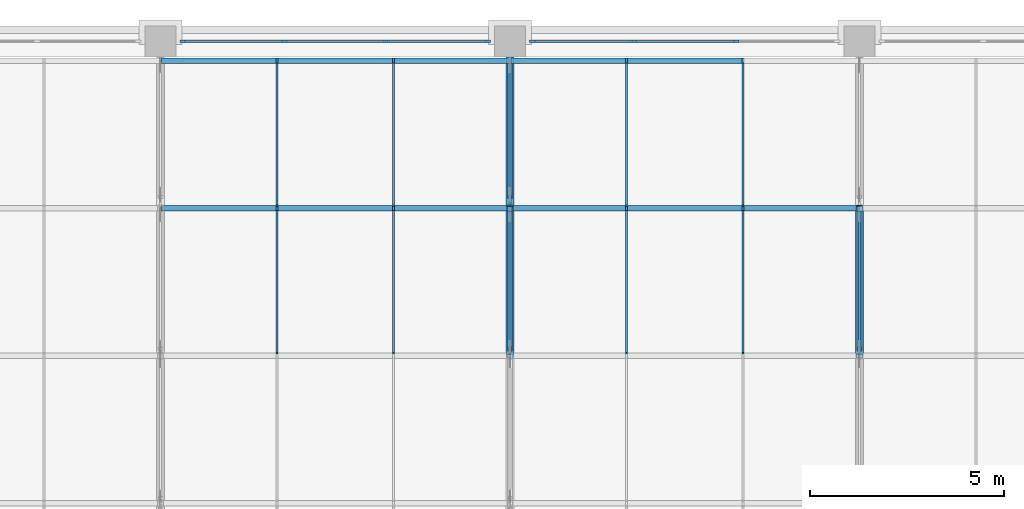
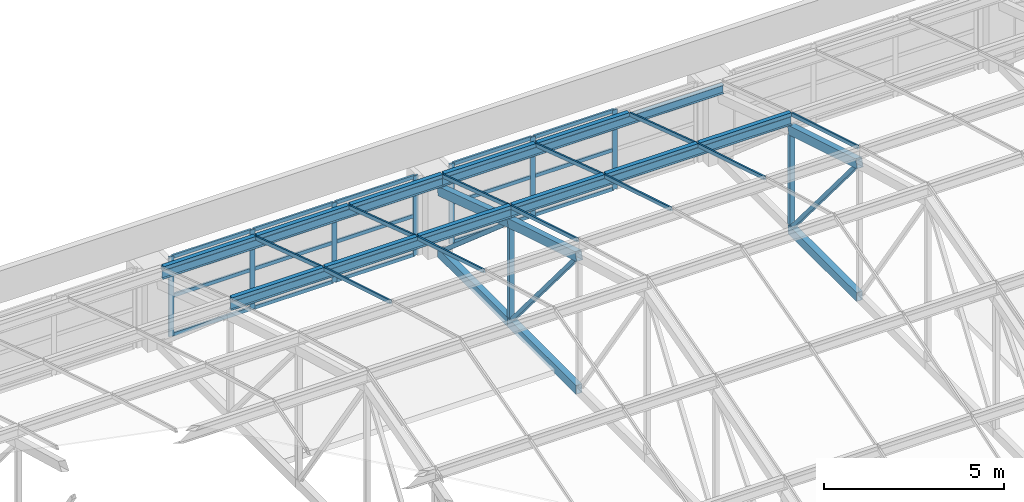
# One storey, part 37 of 82: 59 members, 3 elements without a shape of their own.
"""IFC4 building model written with IfcOpenShell, lengths in metres."""

from ifc_helpers import new_model, si_unit, direction, frame, origin, origin_2d, place, context, subcontext, project, spatial, rectangle, hollow_rectangle, i_section, extrude, material, material_profile, profile_set, type_object, element, aggregate, save


model = new_model("IFC4")

# Units and contexts
model_context = context("Model", 3, precision=1e-05, world=origin(), true_north=direction((0.0, 1.0)))
body_context = subcontext(model_context, "Body", "Model", "MODEL_VIEW")
ifc_project = project(units=[si_unit("LENGTHUNIT", "METRE"), si_unit("AREAUNIT", "SQUARE_METRE"), si_unit("VOLUMEUNIT", "CUBIC_METRE"), si_unit("PLANEANGLEUNIT", "RADIAN"), si_unit("MASSUNIT", "GRAM", prefix="KILO")], contexts=[model_context])

# Site, building, storey
site_placement = place(None, origin())
site = spatial("IfcSite", under=ifc_project, at=site_placement, CompositionType="ELEMENT")
building_placement = place(site_placement, origin())
building = spatial("IfcBuilding", under=site, at=building_placement, Name="Aravalli Gate Trade Fair Centre", CompositionType="ELEMENT")
storey_placement = place(building_placement, frame((0.0, 0.0, 19.199951171875)))
storey = spatial("IfcBuildingStorey", under=building, at=storey_placement, Name="L04", CompositionType="ELEMENT", Elevation=19.199951171875)

# Curtain wall, members
ifc_material_1 = material(Name="Aluminium and glass", Category="aluminium")
curtain_wall_type_1 = type_object("IfcCurtainWallType", Name="Curtain wall 3000 module", PredefinedType="NOTDEFINED", material=ifc_material_1)
curtain_wall_1_placement = place(storey_placement, origin())
curtain_wall_1 = element("IfcCurtainWall", 1, at=curtain_wall_1_placement, inside=storey, type_object=curtain_wall_type_1, Name="Curtain wall north bay 15 L04", PredefinedType="NOTDEFINED")
ifc_material_2 = material(Name="Aluminium", Category="aluminium")
ifc_material_profile_1 = material_profile(ifc_material_2, rectangle(XDim=0.06005859375, YDim=0.159912109375, at=origin_2d()), Name="Concourse curtain wall mullion 60 x 160")
ifc_profile_set_1 = profile_set([ifc_material_profile_1], Name="Aluminium")
member_type_1 = type_object("IfcMemberType", Name="Concourse curtain wall mullion 60 x 160", PredefinedType="MULLION", material=ifc_profile_set_1)
member_1_placement = place(storey_placement, frame((123.580078125, 133.0, 0.0), z_axis=(0.0, 0.0, 1.0), x_axis=(0.0, 1.0, 0.0)))
member_1 = element("IfcMember", 2, at=member_1_placement, type_object=member_type_1, Name="CW1 mullion 1", PredefinedType="MULLION", context=body_context, shape_type="SweptSolid", body=[
    extrude(rectangle(XDim=0.06005859375, YDim=0.159912109375, at=origin_2d()), origin(), (0.0, 0.0, 1.0), 2.699951171875),
])
member_2_placement = place(storey_placement, frame((126.183349609375, 133.0, 0.0), z_axis=(0.0, 0.0, 1.0), x_axis=(0.0, 1.0, 0.0)))
member_2 = element("IfcMember", 3, at=member_2_placement, type_object=member_type_1, Name="CW1 mullion 2", PredefinedType="MULLION", context=body_context, shape_type="SweptSolid", body=[
    extrude(rectangle(XDim=0.06005859375, YDim=0.159912109375, at=origin_2d()), origin(), (0.0, 0.0, 1.0), 2.699951171875),
])
member_3_placement = place(storey_placement, frame((128.816650390625, 133.0, 0.0), z_axis=(0.0, 0.0, 1.0), x_axis=(0.0, 1.0, 0.0)))
member_3 = element("IfcMember", 4, at=member_3_placement, type_object=member_type_1, Name="CW1 mullion 3", PredefinedType="MULLION", context=body_context, shape_type="SweptSolid", body=[
    extrude(rectangle(XDim=0.06005859375, YDim=0.159912109375, at=origin_2d()), origin(), (0.0, 0.0, 1.0), 2.699951171875),
])
member_4_placement = place(storey_placement, frame((131.419921875, 133.0, 0.0), z_axis=(0.0, 0.0, 1.0), x_axis=(0.0, 1.0, 0.0)))
member_4 = element("IfcMember", 5, at=member_4_placement, type_object=member_type_1, Name="CW1 mullion 4", PredefinedType="MULLION", context=body_context, shape_type="SweptSolid", body=[
    extrude(rectangle(XDim=0.06005859375, YDim=0.159912109375, at=origin_2d()), origin(), (0.0, 0.0, 1.0), 2.699951171875),
])

curtain_wall_2_placement = place(storey_placement, origin())
curtain_wall_2 = element("IfcCurtainWall", 6, at=curtain_wall_2_placement, inside=storey, type_object=curtain_wall_type_1, Name="Curtain wall north bay 16 L04", PredefinedType="NOTDEFINED")
member_5_placement = place(storey_placement, frame((132.580078125, 133.0, 0.0), z_axis=(0.0, 0.0, 1.0), x_axis=(0.0, 1.0, 0.0)))
member_5 = element("IfcMember", 7, at=member_5_placement, type_object=member_type_1, Name="CW1 mullion 1", PredefinedType="MULLION", context=body_context, shape_type="SweptSolid", body=[
    extrude(rectangle(XDim=0.06005859375, YDim=0.159912109375, at=origin_2d()), origin(), (0.0, 0.0, 1.0), 2.699951171875),
])
member_6_placement = place(storey_placement, frame((135.183349609375, 133.0, 0.0), z_axis=(0.0, 0.0, 1.0), x_axis=(0.0, 1.0, 0.0)))
member_6 = element("IfcMember", 8, at=member_6_placement, type_object=member_type_1, Name="CW1 mullion 2", PredefinedType="MULLION", context=body_context, shape_type="SweptSolid", body=[
    extrude(rectangle(XDim=0.06005859375, YDim=0.159912109375, at=origin_2d()), origin(), (0.0, 0.0, 1.0), 2.699951171875),
])
member_7_placement = place(storey_placement, frame((137.816650390625, 133.0, 0.0), z_axis=(0.0, 0.0, 1.0), x_axis=(0.0, 1.0, 0.0)))
member_7 = element("IfcMember", 9, at=member_7_placement, type_object=member_type_1, Name="CW1 mullion 3", PredefinedType="MULLION", context=body_context, shape_type="SweptSolid", body=[
    extrude(rectangle(XDim=0.06005859375, YDim=0.159912109375, at=origin_2d()), origin(), (0.0, 0.0, 1.0), 2.699951171875),
])

# Member
ifc_material_profile_2 = material_profile(ifc_material_2, rectangle(XDim=0.06005859375, YDim=0.1201171875, at=origin_2d()), Name="Concourse curtain wall transom 60 x 120")
ifc_profile_set_2 = profile_set([ifc_material_profile_2], Name="Aluminium")
member_type_2 = type_object("IfcMemberType", Name="Concourse curtain wall transom 60 x 120", PredefinedType="USERDEFINED", material=ifc_profile_set_2)
member_8_placement = place(storey_placement, frame((123.610107421875, 133.0, 0.030029296875), z_axis=(1.0, 0.0, 0.0), x_axis=(0.0, 1.0, 0.0)))
member_8 = element("IfcMember", 10, at=member_8_placement, type_object=member_type_2, Name="CW1 transom 1.1", ObjectType="TRANSOM", PredefinedType="USERDEFINED", context=body_context, shape_type="SweptSolid", body=[
    extrude(rectangle(XDim=0.06005859375, YDim=0.1201171875, at=origin_2d()), origin(), (0.0, 0.0, 1.0), 2.543212890625),
])

member_9_placement = place(storey_placement, frame((123.610107421875, 133.0, 1.35009765625), z_axis=(1.0, 0.0, 0.0), x_axis=(0.0, 1.0, 0.0)))
member_9 = element("IfcMember", 11, at=member_9_placement, type_object=member_type_2, Name="CW1 transom 1.2", ObjectType="TRANSOM", PredefinedType="USERDEFINED", context=body_context, shape_type="SweptSolid", body=[
    extrude(rectangle(XDim=0.06005859375, YDim=0.1201171875, at=origin_2d()), origin(), (0.0, 0.0, 1.0), 2.543212890625),
])

member_10_placement = place(storey_placement, frame((123.610107421875, 133.0, 2.670166015625), z_axis=(1.0, 0.0, 0.0), x_axis=(0.0, 1.0, 0.0)))
member_10 = element("IfcMember", 12, at=member_10_placement, type_object=member_type_2, Name="CW1 transom 1.3", ObjectType="TRANSOM", PredefinedType="USERDEFINED", context=body_context, shape_type="SweptSolid", body=[
    extrude(rectangle(XDim=0.06005859375, YDim=0.1201171875, at=origin_2d()), origin(), (0.0, 0.0, 1.0), 2.543212890625),
])

member_11_placement = place(storey_placement, frame((126.21337890625, 133.0, 0.030029296875), z_axis=(1.0, 0.0, 0.0), x_axis=(0.0, 1.0, 0.0)))
member_11 = element("IfcMember", 13, at=member_11_placement, type_object=member_type_2, Name="CW1 transom 2.1", ObjectType="TRANSOM", PredefinedType="USERDEFINED", context=body_context, shape_type="SweptSolid", body=[
    extrude(rectangle(XDim=0.06005859375, YDim=0.1201171875, at=origin_2d()), origin(), (0.0, 0.0, 1.0), 2.5732421875),
])

member_12_placement = place(storey_placement, frame((126.21337890625, 133.0, 1.35009765625), z_axis=(1.0, 0.0, 0.0), x_axis=(0.0, 1.0, 0.0)))
member_12 = element("IfcMember", 14, at=member_12_placement, type_object=member_type_2, Name="CW1 transom 2.2", ObjectType="TRANSOM", PredefinedType="USERDEFINED", context=body_context, shape_type="SweptSolid", body=[
    extrude(rectangle(XDim=0.06005859375, YDim=0.1201171875, at=origin_2d()), origin(), (0.0, 0.0, 1.0), 2.5732421875),
])

member_13_placement = place(storey_placement, frame((126.21337890625, 133.0, 2.670166015625), z_axis=(1.0, 0.0, 0.0), x_axis=(0.0, 1.0, 0.0)))
member_13 = element("IfcMember", 15, at=member_13_placement, type_object=member_type_2, Name="CW1 transom 2.3", ObjectType="TRANSOM", PredefinedType="USERDEFINED", context=body_context, shape_type="SweptSolid", body=[
    extrude(rectangle(XDim=0.06005859375, YDim=0.1201171875, at=origin_2d()), origin(), (0.0, 0.0, 1.0), 2.5732421875),
])

member_14_placement = place(storey_placement, frame((128.8466796875, 133.0, 0.030029296875), z_axis=(1.0, 0.0, 0.0), x_axis=(0.0, 1.0, 0.0)))
member_14 = element("IfcMember", 16, at=member_14_placement, type_object=member_type_2, Name="CW1 transom 3.1", ObjectType="TRANSOM", PredefinedType="USERDEFINED", context=body_context, shape_type="SweptSolid", body=[
    extrude(rectangle(XDim=0.06005859375, YDim=0.1201171875, at=origin_2d()), origin(), (0.0, 0.0, 1.0), 2.543212890625),
])

member_15_placement = place(storey_placement, frame((128.8466796875, 133.0, 1.35009765625), z_axis=(1.0, 0.0, 0.0), x_axis=(0.0, 1.0, 0.0)))
member_15 = element("IfcMember", 17, at=member_15_placement, type_object=member_type_2, Name="CW1 transom 3.2", ObjectType="TRANSOM", PredefinedType="USERDEFINED", context=body_context, shape_type="SweptSolid", body=[
    extrude(rectangle(XDim=0.06005859375, YDim=0.1201171875, at=origin_2d()), origin(), (0.0, 0.0, 1.0), 2.543212890625),
])

member_16_placement = place(storey_placement, frame((128.8466796875, 133.0, 2.670166015625), z_axis=(1.0, 0.0, 0.0), x_axis=(0.0, 1.0, 0.0)))
member_16 = element("IfcMember", 18, at=member_16_placement, type_object=member_type_2, Name="CW1 transom 3.3", ObjectType="TRANSOM", PredefinedType="USERDEFINED", context=body_context, shape_type="SweptSolid", body=[
    extrude(rectangle(XDim=0.06005859375, YDim=0.1201171875, at=origin_2d()), origin(), (0.0, 0.0, 1.0), 2.543212890625),
])

aggregate(curtain_wall_1, [member_1, member_2, member_3, member_4, member_8, member_9, member_10, member_11, member_12, member_13, member_14, member_15, member_16])

member_17_placement = place(storey_placement, frame((132.610107421875, 133.0, 0.030029296875), z_axis=(1.0, 0.0, 0.0), x_axis=(0.0, 1.0, 0.0)))
member_17 = element("IfcMember", 19, at=member_17_placement, type_object=member_type_2, Name="CW1 transom 1.1", ObjectType="TRANSOM", PredefinedType="USERDEFINED", context=body_context, shape_type="SweptSolid", body=[
    extrude(rectangle(XDim=0.06005859375, YDim=0.1201171875, at=origin_2d()), origin(), (0.0, 0.0, 1.0), 2.543212890625),
])

member_18_placement = place(storey_placement, frame((132.610107421875, 133.0, 1.35009765625), z_axis=(1.0, 0.0, 0.0), x_axis=(0.0, 1.0, 0.0)))
member_18 = element("IfcMember", 20, at=member_18_placement, type_object=member_type_2, Name="CW1 transom 1.2", ObjectType="TRANSOM", PredefinedType="USERDEFINED", context=body_context, shape_type="SweptSolid", body=[
    extrude(rectangle(XDim=0.06005859375, YDim=0.1201171875, at=origin_2d()), origin(), (0.0, 0.0, 1.0), 2.543212890625),
])

member_19_placement = place(storey_placement, frame((132.610107421875, 133.0, 2.670166015625), z_axis=(1.0, 0.0, 0.0), x_axis=(0.0, 1.0, 0.0)))
member_19 = element("IfcMember", 21, at=member_19_placement, type_object=member_type_2, Name="CW1 transom 1.3", ObjectType="TRANSOM", PredefinedType="USERDEFINED", context=body_context, shape_type="SweptSolid", body=[
    extrude(rectangle(XDim=0.06005859375, YDim=0.1201171875, at=origin_2d()), origin(), (0.0, 0.0, 1.0), 2.543212890625),
])

member_20_placement = place(storey_placement, frame((135.21337890625, 133.0, 0.030029296875), z_axis=(1.0, 0.0, 0.0), x_axis=(0.0, 1.0, 0.0)))
member_20 = element("IfcMember", 22, at=member_20_placement, type_object=member_type_2, Name="CW1 transom 2.1", ObjectType="TRANSOM", PredefinedType="USERDEFINED", context=body_context, shape_type="SweptSolid", body=[
    extrude(rectangle(XDim=0.06005859375, YDim=0.1201171875, at=origin_2d()), origin(), (0.0, 0.0, 1.0), 2.5732421875),
])

member_21_placement = place(storey_placement, frame((135.21337890625, 133.0, 1.35009765625), z_axis=(1.0, 0.0, 0.0), x_axis=(0.0, 1.0, 0.0)))
member_21 = element("IfcMember", 23, at=member_21_placement, type_object=member_type_2, Name="CW1 transom 2.2", ObjectType="TRANSOM", PredefinedType="USERDEFINED", context=body_context, shape_type="SweptSolid", body=[
    extrude(rectangle(XDim=0.06005859375, YDim=0.1201171875, at=origin_2d()), origin(), (0.0, 0.0, 1.0), 2.5732421875),
])

member_22_placement = place(storey_placement, frame((135.21337890625, 133.0, 2.670166015625), z_axis=(1.0, 0.0, 0.0), x_axis=(0.0, 1.0, 0.0)))
member_22 = element("IfcMember", 24, at=member_22_placement, type_object=member_type_2, Name="CW1 transom 2.3", ObjectType="TRANSOM", PredefinedType="USERDEFINED", context=body_context, shape_type="SweptSolid", body=[
    extrude(rectangle(XDim=0.06005859375, YDim=0.1201171875, at=origin_2d()), origin(), (0.0, 0.0, 1.0), 2.5732421875),
])

aggregate(curtain_wall_2, [member_5, member_6, member_7, member_17, member_18, member_19, member_20, member_21, member_22])

# Members
ifc_material_3 = material(Name="Steel E350", Category="steel")
ifc_material_profile_3 = material_profile(ifc_material_3, i_section(OverallWidth=0.139892578125, OverallDepth=0.300048828125, WebThickness=0.0078125, FlangeThickness=0.01318359375, at=origin_2d()), Name="ISMB 300")
ifc_profile_set_3 = profile_set([ifc_material_profile_3], Name="Steel E350")
member_type_3 = type_object("IfcMemberType", Name="ISMB 300 roof purlin", PredefinedType="PURLIN", material=ifc_profile_set_3)
for number, where, z_axis, x_axis, name in (
    (25, (123.0, 128.699951171875, 3.851318359375), (1.0, 0.0, 0.0), (0.0, 1.0, 0.0), "Vault purlin 14-15 F5"),
    (26, (123.0, 132.5, 2.60302734375), (1.0, 0.0, 0.0), (0.0, 1.0, 0.0), "Vault purlin 14-15 F6"),
    (27, (132.0, 128.699951171875, 3.851318359375), (1.0, 0.0, 0.0), (0.0, 1.0, 0.0), "Vault purlin 15-16 F5"),
    (28, (132.0, 132.5, 2.60302734375), (1.0, 0.0, 0.0), (0.0, 1.0, 0.0), "Vault purlin 15-16 F6"),
):
    element("IfcMember", number, at=place(storey_placement, frame(where, z_axis=z_axis, x_axis=x_axis)), inside=storey, type_object=member_type_3, Name=name, PredefinedType="PURLIN", context=body_context, shape_type="SweptSolid", body=[
        extrude(i_section(OverallWidth=0.139892578125, OverallDepth=0.300048828125, WebThickness=0.0078125, FlangeThickness=0.01318359375, at=origin_2d()), origin(), (0.0, 0.0, 1.0), 9.0),
    ])
ifc_material_profile_4 = material_profile(ifc_material_3, hollow_rectangle(XDim=0.199951171875, YDim=0.300048828125, WallThickness=0.011962890625, at=origin_2d()), Name="RHS 300x200x12")
ifc_profile_set_4 = profile_set([ifc_material_profile_4], Name="Steel E350")
member_type_4 = type_object("IfcMemberType", Name="RHS 300x200x12 CT1 truss chord", PredefinedType="CHORD", material=ifc_profile_set_4)
member_23_placement = place(storey_placement, frame((132.0, 124.89990234375, 4.67333984375), z_axis=(0.0, 0.957138110877, -0.289631898634), x_axis=(-1.0, 0.0, 0.0)))
element("IfcMember", 29, at=member_23_placement, inside=storey, type_object=member_type_4, Name="Concourse vault truss CT1 line 15 top chord T5", PredefinedType="CHORD", context=body_context, shape_type="SweptSolid", body=[
    extrude(hollow_rectangle(XDim=0.199951171875, YDim=0.300048828125, WallThickness=0.011962890625, at=origin_2d()), origin(), (0.0, 0.0, 1.0), 3.97021484375),
])
member_24_placement = place(storey_placement, frame((132.0, 124.89990234375, 0.150146484375), z_axis=(0.0, 1.0, 0.0), x_axis=(-1.0, 0.0, 0.0)))
element("IfcMember", 30, at=member_24_placement, inside=storey, type_object=member_type_4, Name="Concourse vault truss CT1 line 15 bottom chord B5", PredefinedType="CHORD", context=body_context, shape_type="SweptSolid", body=[
    extrude(hollow_rectangle(XDim=0.199951171875, YDim=0.300048828125, WallThickness=0.011962890625, at=origin_2d()), origin(), (0.0, 0.0, 1.0), 3.800048828125),
])
member_25_placement = place(storey_placement, frame((132.0, 128.699951171875, 3.522216796875), z_axis=(0.0, 0.949924628731, -0.312479118872), x_axis=(-1.0, 0.0, 0.0)))
element("IfcMember", 31, at=member_25_placement, inside=storey, type_object=member_type_4, Name="Concourse vault truss CT1 line 15 top chord T6", PredefinedType="CHORD", context=body_context, shape_type="SweptSolid", body=[
    extrude(hollow_rectangle(XDim=0.199951171875, YDim=0.300048828125, WallThickness=0.011962890625, at=origin_2d()), origin(), (0.0, 0.0, 1.0), 4.105712890625),
])
member_26_placement = place(storey_placement, frame((132.0, 128.699951171875, 0.150146484375), z_axis=(0.0, 1.0, 0.0), x_axis=(-1.0, 0.0, 0.0)))
element("IfcMember", 32, at=member_26_placement, inside=storey, type_object=member_type_4, Name="Concourse vault truss CT1 line 15 bottom chord B6", PredefinedType="CHORD", context=body_context, shape_type="SweptSolid", body=[
    extrude(hollow_rectangle(XDim=0.199951171875, YDim=0.300048828125, WallThickness=0.011962890625, at=origin_2d()), origin(), (0.0, 0.0, 1.0), 3.900146484375),
])
member_27_placement = place(storey_placement, frame((141.0, 124.89990234375, 4.67333984375), z_axis=(0.0, 0.957138110877, -0.289631898634), x_axis=(-1.0, 0.0, 0.0)))
element("IfcMember", 33, at=member_27_placement, inside=storey, type_object=member_type_4, Name="Concourse vault truss CT1 line 16 top chord T5", PredefinedType="CHORD", context=body_context, shape_type="SweptSolid", body=[
    extrude(hollow_rectangle(XDim=0.199951171875, YDim=0.300048828125, WallThickness=0.011962890625, at=origin_2d()), origin(), (0.0, 0.0, 1.0), 3.97021484375),
])
member_28_placement = place(storey_placement, frame((141.0, 124.89990234375, 0.150146484375), z_axis=(0.0, 1.0, 0.0), x_axis=(-1.0, 0.0, 0.0)))
element("IfcMember", 34, at=member_28_placement, inside=storey, type_object=member_type_4, Name="Concourse vault truss CT1 line 16 bottom chord B5", PredefinedType="CHORD", context=body_context, shape_type="SweptSolid", body=[
    extrude(hollow_rectangle(XDim=0.199951171875, YDim=0.300048828125, WallThickness=0.011962890625, at=origin_2d()), origin(), (0.0, 0.0, 1.0), 3.800048828125),
])
ifc_material_profile_5 = material_profile(ifc_material_3, hollow_rectangle(XDim=0.125, YDim=0.125, WallThickness=0.006103515625, at=origin_2d()), Name="SHS 125x125x6")
ifc_profile_set_5 = profile_set([ifc_material_profile_5], Name="Steel E350")
member_type_5 = type_object("IfcMemberType", Name="SHS 125x125x6 CT1 truss diagonal", PredefinedType="BRACE", material=ifc_profile_set_5)
member_29_placement = place(storey_placement, frame((132.0, 125.076416015625, 4.463134765625), z_axis=(0.0, 0.643253159982, -0.765653558845), x_axis=(-1.0, 0.0, 0.0)))
element("IfcMember", 35, at=member_29_placement, inside=storey, type_object=member_type_5, Name="Concourse vault truss CT1 line 15 diagonal D5", PredefinedType="BRACE", context=body_context, shape_type="SweptSolid", body=[
    extrude(hollow_rectangle(XDim=0.125, YDim=0.125, WallThickness=0.006103515625, at=origin_2d()), origin(), (0.0, 0.0, 1.0), 5.437255859375),
])
member_30_placement = place(storey_placement, frame((132.0, 128.994873046875, 3.267333984375), z_axis=(0.0, 0.756430814482, -0.654073713661), x_axis=(-1.0, 0.0, 0.0)))
element("IfcMember", 36, at=member_30_placement, inside=storey, type_object=member_type_5, Name="Concourse vault truss CT1 line 15 diagonal D6", PredefinedType="BRACE", context=body_context, shape_type="SweptSolid", body=[
    extrude(hollow_rectangle(XDim=0.125, YDim=0.125, WallThickness=0.006103515625, at=origin_2d()), origin(), (0.0, 0.0, 1.0), 4.53662109375),
])
member_31_placement = place(storey_placement, frame((141.0, 125.076416015625, 4.463134765625), z_axis=(0.0, 0.643253159982, -0.765653558845), x_axis=(-1.0, 0.0, 0.0)))
element("IfcMember", 37, at=member_31_placement, inside=storey, type_object=member_type_5, Name="Concourse vault truss CT1 line 16 diagonal D5", PredefinedType="BRACE", context=body_context, shape_type="SweptSolid", body=[
    extrude(hollow_rectangle(XDim=0.125, YDim=0.125, WallThickness=0.006103515625, at=origin_2d()), origin(), (0.0, 0.0, 1.0), 5.437255859375),
])
ifc_material_profile_6 = material_profile(ifc_material_3, hollow_rectangle(XDim=0.14990234375, YDim=0.14990234375, WallThickness=0.006103515625, at=origin_2d()), Name="SHS 150x150x6")
ifc_profile_set_6 = profile_set([ifc_material_profile_6], Name="Steel E350")
member_type_6 = type_object("IfcMemberType", Name="SHS 150x150x6 CT1 truss post", PredefinedType="POST", material=ifc_profile_set_6)
for number, where, z_axis, x_axis, name in (
    (38, (132.0, 128.699951171875, 0.300048828125), (0.0, 0.0, 1.0), (1.0, 0.0, 0.0), "Concourse vault truss CT1 line 15 post V5"),
    (39, (141.0, 128.699951171875, 0.300048828125), (0.0, 0.0, 1.0), (1.0, 0.0, 0.0), "Concourse vault truss CT1 line 16 post V5"),
):
    element("IfcMember", number, at=place(storey_placement, frame(where, z_axis=z_axis, x_axis=x_axis)), inside=storey, type_object=member_type_6, Name=name, PredefinedType="POST", context=body_context, shape_type="SweptSolid", body=[
        extrude(hollow_rectangle(XDim=0.14990234375, YDim=0.14990234375, WallThickness=0.006103515625, at=origin_2d()), origin(), (0.0, 0.0, 1.0), 3.064208984375),
    ])
ifc_material_profile_7 = material_profile(ifc_material_2, rectangle(XDim=0.139892578125, YDim=0.1201171875, at=origin_2d()), Name="Vault fold cap 140 x 120")
ifc_profile_set_7 = profile_set([ifc_material_profile_7], Name="Aluminium")
member_type_7 = type_object("IfcMemberType", Name="Vault fold cap 140 x 120", PredefinedType="USERDEFINED", material=ifc_profile_set_7)
for number, where, z_axis, x_axis, name in (
    (40, (123.030029296875, 128.699951171875, 4.061279296875), (1.0, 0.0, 0.0), (0.0, 1.0, 0.0), "Vault fold cap e8.5"),
    (41, (123.030029296875, 132.5, 2.81298828125), (1.0, 0.0, 0.0), (0.0, 1.0, 0.0), "Vault fold cap e8.6"),
    (42, (126.030029296875, 128.699951171875, 4.061279296875), (1.0, 0.0, 0.0), (0.0, 1.0, 0.0), "Vault fold cap e9.5"),
    (43, (126.030029296875, 132.5, 2.81298828125), (1.0, 0.0, 0.0), (0.0, 1.0, 0.0), "Vault fold cap e9.6"),
    (44, (129.030029296875, 128.699951171875, 4.061279296875), (1.0, 0.0, 0.0), (0.0, 1.0, 0.0), "Vault fold cap e10.5"),
    (45, (129.030029296875, 132.5, 2.81298828125), (1.0, 0.0, 0.0), (0.0, 1.0, 0.0), "Vault fold cap e10.6"),
    (46, (132.030029296875, 128.699951171875, 4.061279296875), (1.0, 0.0, 0.0), (0.0, 1.0, 0.0), "Vault fold cap e11.5"),
    (47, (132.030029296875, 132.5, 2.81298828125), (1.0, 0.0, 0.0), (0.0, 1.0, 0.0), "Vault fold cap e11.6"),
    (48, (135.030029296875, 128.699951171875, 4.061279296875), (1.0, 0.0, 0.0), (0.0, 1.0, 0.0), "Vault fold cap e12.5"),
    (49, (135.030029296875, 132.5, 2.81298828125), (1.0, 0.0, 0.0), (0.0, 1.0, 0.0), "Vault fold cap e12.6"),
    (50, (138.030029296875, 128.699951171875, 4.061279296875), (1.0, 0.0, 0.0), (0.0, 1.0, 0.0), "Vault fold cap e13.5"),
):
    element("IfcMember", number, at=place(storey_placement, frame(where, z_axis=z_axis, x_axis=x_axis)), inside=storey, type_object=member_type_7, Name=name, ObjectType="FOLD CAP", PredefinedType="USERDEFINED", context=body_context, shape_type="SweptSolid", body=[
        extrude(rectangle(XDim=0.139892578125, YDim=0.1201171875, at=origin_2d()), origin(), (0.0, 0.0, 1.0), 2.93994140625),
    ])

# Curtain wall, members
curtain_wall_type_2 = type_object("IfcCurtainWallType", Name="Vault curtain wall, sloped glazing", PredefinedType="NOTDEFINED", material=ifc_material_1)
curtain_wall_3_placement = place(storey_placement, origin())
curtain_wall_3 = element("IfcCurtainWall", 51, at=curtain_wall_3_placement, inside=storey, type_object=curtain_wall_type_2, Name="Vault curtain wall e", PredefinedType="NOTDEFINED")
ifc_material_profile_8 = material_profile(ifc_material_2, rectangle(XDim=0.06005859375, YDim=0.1201171875, at=origin_2d()), Name="Vault glazing bar 60 x 120")
ifc_profile_set_8 = profile_set([ifc_material_profile_8], Name="Aluminium")
member_type_8 = type_object("IfcMemberType", Name="Vault glazing bar 60 x 120", PredefinedType="USERDEFINED", material=ifc_profile_set_8)
member_32_placement = place(storey_placement, frame((126.0, 124.969970703125, 5.166259765625), z_axis=(0.0, 0.957125834694, -0.289672464279), x_axis=(-1.0, 0.0, 0.0)))
member_32 = element("IfcMember", 52, at=member_32_placement, type_object=member_type_8, Name="Vault glazing bar e9.5", ObjectType="GLAZING BAR", PredefinedType="USERDEFINED", context=body_context, shape_type="SweptSolid", body=[
    extrude(rectangle(XDim=0.06005859375, YDim=0.1201171875, at=origin_2d()), origin(), (0.0, 0.0, 1.0), 3.823974609375),
])
member_33_placement = place(storey_placement, frame((126.0, 128.77001953125, 4.013916015625), z_axis=(0.0, 0.949930492103, -0.31246129388), x_axis=(-1.0, 0.0, 0.0)))
member_33 = element("IfcMember", 53, at=member_33_placement, type_object=member_type_8, Name="Vault glazing bar e9.6", ObjectType="GLAZING BAR", PredefinedType="USERDEFINED", context=body_context, shape_type="SweptSolid", body=[
    extrude(rectangle(XDim=0.06005859375, YDim=0.1201171875, at=origin_2d()), origin(), (0.0, 0.0, 1.0), 3.852783203125),
])
member_34_placement = place(storey_placement, frame((129.0, 124.969970703125, 5.166259765625), z_axis=(0.0, 0.957125834694, -0.289672464279), x_axis=(-1.0, 0.0, 0.0)))
member_34 = element("IfcMember", 54, at=member_34_placement, type_object=member_type_8, Name="Vault glazing bar e10.5", ObjectType="GLAZING BAR", PredefinedType="USERDEFINED", context=body_context, shape_type="SweptSolid", body=[
    extrude(rectangle(XDim=0.06005859375, YDim=0.1201171875, at=origin_2d()), origin(), (0.0, 0.0, 1.0), 3.823974609375),
])
member_35_placement = place(storey_placement, frame((129.0, 128.77001953125, 4.013916015625), z_axis=(0.0, 0.949930492103, -0.31246129388), x_axis=(-1.0, 0.0, 0.0)))
member_35 = element("IfcMember", 55, at=member_35_placement, type_object=member_type_8, Name="Vault glazing bar e10.6", ObjectType="GLAZING BAR", PredefinedType="USERDEFINED", context=body_context, shape_type="SweptSolid", body=[
    extrude(rectangle(XDim=0.06005859375, YDim=0.1201171875, at=origin_2d()), origin(), (0.0, 0.0, 1.0), 3.852783203125),
])
member_36_placement = place(storey_placement, frame((132.0, 124.969970703125, 5.166259765625), z_axis=(0.0, 0.957125834694, -0.289672464279), x_axis=(-1.0, 0.0, 0.0)))
member_36 = element("IfcMember", 56, at=member_36_placement, type_object=member_type_8, Name="Vault glazing bar e11.5", ObjectType="GLAZING BAR", PredefinedType="USERDEFINED", context=body_context, shape_type="SweptSolid", body=[
    extrude(rectangle(XDim=0.06005859375, YDim=0.1201171875, at=origin_2d()), origin(), (0.0, 0.0, 1.0), 3.823974609375),
])
member_37_placement = place(storey_placement, frame((132.0, 128.77001953125, 4.013916015625), z_axis=(0.0, 0.949930492103, -0.31246129388), x_axis=(-1.0, 0.0, 0.0)))
member_37 = element("IfcMember", 57, at=member_37_placement, type_object=member_type_8, Name="Vault glazing bar e11.6", ObjectType="GLAZING BAR", PredefinedType="USERDEFINED", context=body_context, shape_type="SweptSolid", body=[
    extrude(rectangle(XDim=0.06005859375, YDim=0.1201171875, at=origin_2d()), origin(), (0.0, 0.0, 1.0), 3.852783203125),
])
member_38_placement = place(storey_placement, frame((135.0, 124.969970703125, 5.166259765625), z_axis=(0.0, 0.957125834694, -0.289672464279), x_axis=(-1.0, 0.0, 0.0)))
member_38 = element("IfcMember", 58, at=member_38_placement, type_object=member_type_8, Name="Vault glazing bar e12.5", ObjectType="GLAZING BAR", PredefinedType="USERDEFINED", context=body_context, shape_type="SweptSolid", body=[
    extrude(rectangle(XDim=0.06005859375, YDim=0.1201171875, at=origin_2d()), origin(), (0.0, 0.0, 1.0), 3.823974609375),
])
member_39_placement = place(storey_placement, frame((135.0, 128.77001953125, 4.013916015625), z_axis=(0.0, 0.949930492103, -0.31246129388), x_axis=(-1.0, 0.0, 0.0)))
member_39 = element("IfcMember", 59, at=member_39_placement, type_object=member_type_8, Name="Vault glazing bar e12.6", ObjectType="GLAZING BAR", PredefinedType="USERDEFINED", context=body_context, shape_type="SweptSolid", body=[
    extrude(rectangle(XDim=0.06005859375, YDim=0.1201171875, at=origin_2d()), origin(), (0.0, 0.0, 1.0), 3.852783203125),
])
member_40_placement = place(storey_placement, frame((138.0, 124.969970703125, 5.166259765625), z_axis=(0.0, 0.957125834694, -0.289672464279), x_axis=(-1.0, 0.0, 0.0)))
member_40 = element("IfcMember", 60, at=member_40_placement, type_object=member_type_8, Name="Vault glazing bar e13.5", ObjectType="GLAZING BAR", PredefinedType="USERDEFINED", context=body_context, shape_type="SweptSolid", body=[
    extrude(rectangle(XDim=0.06005859375, YDim=0.1201171875, at=origin_2d()), origin(), (0.0, 0.0, 1.0), 3.823974609375),
])
member_41_placement = place(storey_placement, frame((138.0, 128.77001953125, 4.013916015625), z_axis=(0.0, 0.949930492103, -0.31246129388), x_axis=(-1.0, 0.0, 0.0)))
member_41 = element("IfcMember", 61, at=member_41_placement, type_object=member_type_8, Name="Vault glazing bar e13.6", ObjectType="GLAZING BAR", PredefinedType="USERDEFINED", context=body_context, shape_type="SweptSolid", body=[
    extrude(rectangle(XDim=0.06005859375, YDim=0.1201171875, at=origin_2d()), origin(), (0.0, 0.0, 1.0), 3.852783203125),
])
member_42_placement = place(storey_placement, frame((141.0, 124.969970703125, 5.166259765625), z_axis=(0.0, 0.957125834694, -0.289672464279), x_axis=(-1.0, 0.0, 0.0)))
member_42 = element("IfcMember", 62, at=member_42_placement, type_object=member_type_8, Name="Vault glazing bar e14.5", ObjectType="GLAZING BAR", PredefinedType="USERDEFINED", context=body_context, shape_type="SweptSolid", body=[
    extrude(rectangle(XDim=0.06005859375, YDim=0.1201171875, at=origin_2d()), origin(), (0.0, 0.0, 1.0), 3.823974609375),
])
aggregate(curtain_wall_3, [member_32, member_33, member_34, member_35, member_36, member_37, member_38, member_39, member_40, member_41, member_42])

save(model, "model.ifc")
